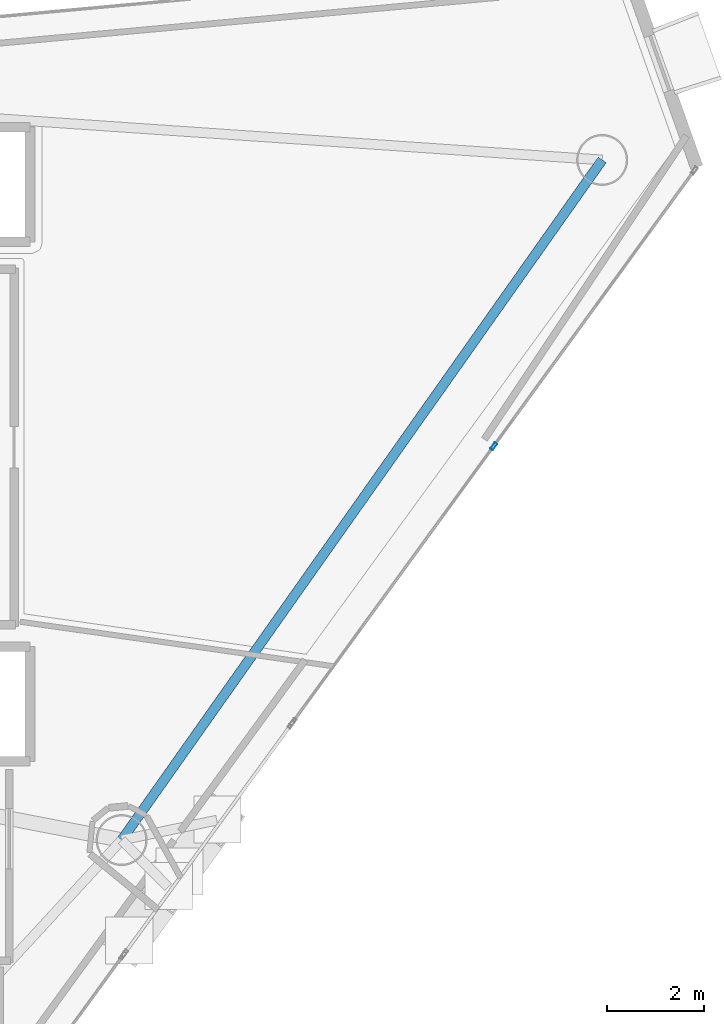
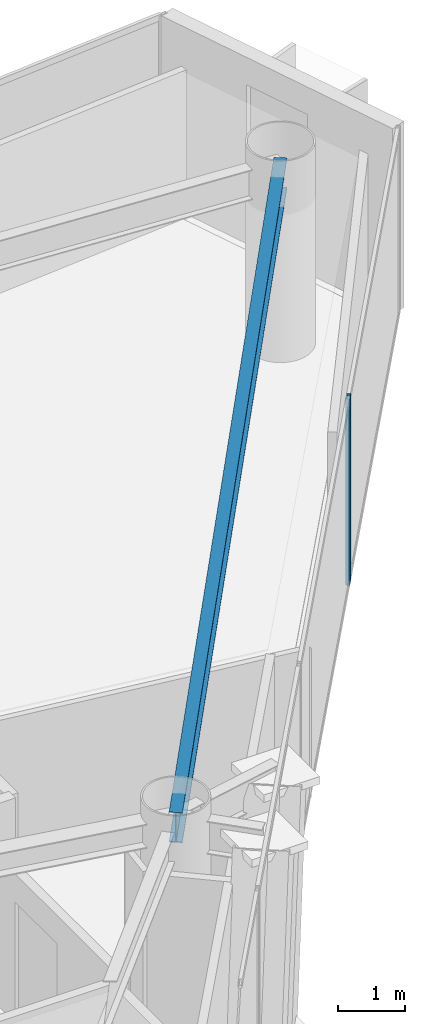
# One storey, part 14 of 21: 1 beam, 1 member, 1 element without a shape of its own.
"""IFC4 building model written with IfcOpenShell, lengths in metres."""

from ifc_helpers import new_model, si_unit, direction, frame, origin, origin_2d, place, context, subcontext, project, spatial, hollow_rectangle, i_section, extrude, material, layer, layer_set, material_profile, profile_set, type_object, element, aggregate, save


model = new_model("IFC4")

# Units and contexts
model_context = context("Model", 3, precision=1e-05, world=origin(), true_north=direction((0.0, 1.0)))
body_context = subcontext(model_context, "Body", "Model", "MODEL_VIEW")
ifc_project = project(units=[si_unit("LENGTHUNIT", "METRE"), si_unit("AREAUNIT", "SQUARE_METRE"), si_unit("VOLUMEUNIT", "CUBIC_METRE"), si_unit("PLANEANGLEUNIT", "RADIAN"), si_unit("MASSUNIT", "GRAM", prefix="KILO")], contexts=[model_context])

# Site, building, storey
site_placement = place(None, origin())
site = spatial("IfcSite", under=ifc_project, at=site_placement, CompositionType="ELEMENT")
building_placement = place(site_placement, origin())
building = spatial("IfcBuilding", under=site, at=building_placement, Name="Qianvela Tower", CompositionType="ELEMENT")
storey_placement = place(building_placement, frame((0.0, 0.0, 272.300048828125)))
storey = spatial("IfcBuildingStorey", under=building, at=storey_placement, Name="L70", CompositionType="ELEMENT", Elevation=272.300048828125)

# Beam
ifc_material_1 = material(Name="Steel Q355B", Category="steel")
ifc_material_profile_1 = material_profile(ifc_material_1, i_section(OverallWidth=0.199951171875, OverallDepth=0.550048828125, WebThickness=0.010009765625, FlangeThickness=0.01611328125, at=origin_2d()), Name="HN550x200x10x16")
ifc_profile_set_1 = profile_set([ifc_material_profile_1], Name="Steel Q355B")
beam_type = type_object("IfcBeamType", Name="BM-HN550-GIRD", PredefinedType="BEAM", material=ifc_profile_set_1)
beam_placement = place(storey_placement, frame((45.43603515625, 20.597900390625, 3.123046875), z_axis=(0.577019604961, 0.816730295441, 0.0), x_axis=(-0.816730295441, 0.577019604961, 0.0)))
element("IfcBeam", 1, at=beam_placement, inside=storey, type_object=beam_type, Name="L70 Perimeter Ring Spandrel Girder 6", PredefinedType="BEAM", context=body_context, shape_type="SweptSolid", body=[
    extrude(i_section(OverallWidth=0.199951171875, OverallDepth=0.550048828125, WebThickness=0.010009765625, FlangeThickness=0.01611328125, at=origin_2d()), origin(), (0.0, 0.0, 1.0), 17.150146484375),
])

# Curtain wall, member
ifc_material_2 = material(Name="Anodised Architectural Aluminium and Low-E Glass", Category="aluminium")
ifc_layer = layer(ifc_material_2, 0.159912109375)
ifc_layer_set = layer_set([ifc_layer], Name="Anodised Architectural Aluminium and Low-E Glass")
curtain_wall_type = type_object("IfcCurtainWallType", Name="CW-COLIV-Z56", PredefinedType="USERDEFINED", material=ifc_layer_set)
curtain_wall_placement = place(storey_placement, origin())
curtain_wall = element("IfcCurtainWall", 2, at=curtain_wall_placement, inside=storey, type_object=curtain_wall_type, Name="L70 CW-COLIV-Z56 Curtain Wall 06C", ObjectType="CURTAIN_WALL_SYSTEM", PredefinedType="USERDEFINED")
ifc_material_3 = material(Name="Anodised Architectural Aluminium 6063-T6", Category="aluminium")
ifc_material_profile_2 = material_profile(ifc_material_3, hollow_rectangle(XDim=0.06494140625, YDim=0.159912109375, WallThickness=0.0048828125, at=origin_2d()), Name="ALU-MULL-65x160")
ifc_profile_set_2 = profile_set([ifc_material_profile_2], Name="Anodised Architectural Aluminium 6063-T6")
member_type = type_object("IfcMemberType", Name="CW-COLIV-Z56-MULL", PredefinedType="MULLION", material=ifc_profile_set_2)
member_placement = place(storey_placement, frame((53.09814453125, 28.707275390625, 0.0), z_axis=(0.0, 0.0, 1.0), x_axis=(-0.808533557419, 0.588450071398, 0.0)))
member = element("IfcMember", 3, at=member_placement, type_object=member_type, Name="CW-5 mullion 2", PredefinedType="MULLION", context=body_context, shape_type="SweptSolid", body=[
    extrude(hollow_rectangle(XDim=0.06494140625, YDim=0.159912109375, WallThickness=0.0048828125, at=origin_2d()), origin(), (0.0, 0.0, 1.0), 3.39990234375),
])
aggregate(curtain_wall, [member])

save(model, "model.ifc")
